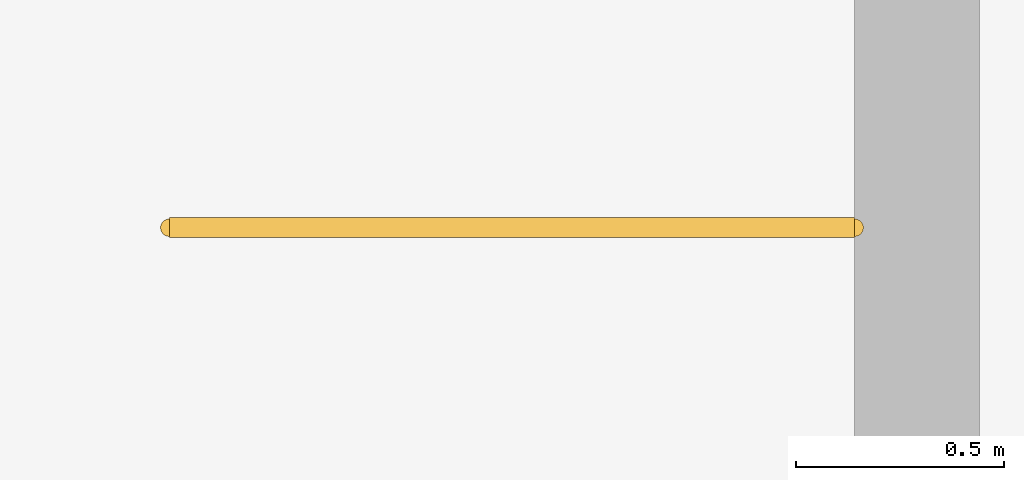
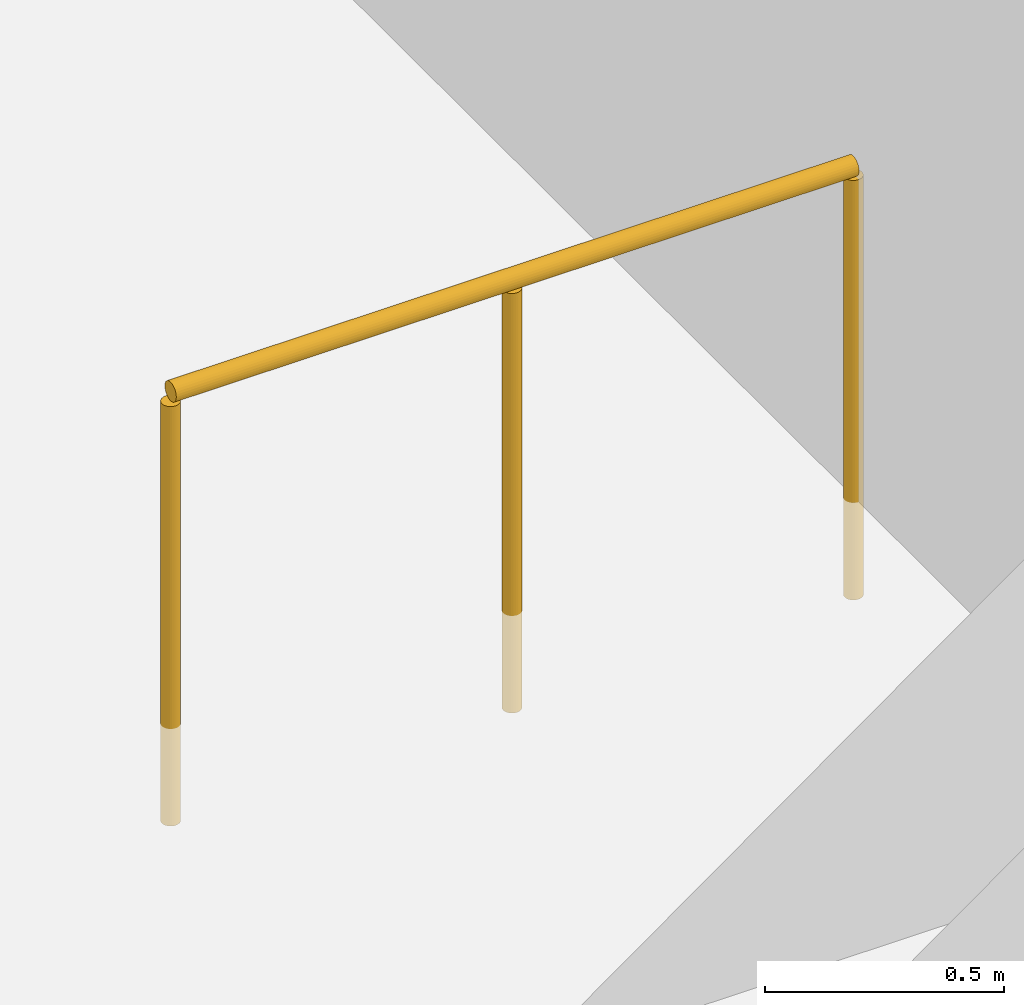
# One storey, part 54 of 54: 1 railing.
"""IFC4 building model written with IfcOpenShell, lengths in metres."""

from ifc_helpers import new_model, si_unit, direction, frame, origin, origin_2d, place, context, subcontext, project, spatial, circle, extrude, material, type_object, element, save


model = new_model("IFC4")

# Units and contexts
model_context = context("Model", 3, precision=1e-05, world=origin(), true_north=direction((0.0, 1.0)))
body_context = subcontext(model_context, "Body", "Model", "MODEL_VIEW")
ifc_project = project(units=[si_unit("LENGTHUNIT", "METRE"), si_unit("AREAUNIT", "SQUARE_METRE"), si_unit("VOLUMEUNIT", "CUBIC_METRE"), si_unit("PLANEANGLEUNIT", "RADIAN"), si_unit("MASSUNIT", "GRAM", prefix="KILO")], contexts=[model_context])

# Site, building, storey
site_placement = place(None, origin())
site = spatial("IfcSite", under=ifc_project, at=site_placement, CompositionType="ELEMENT")
building_placement = place(site_placement, origin())
building = spatial("IfcBuilding", under=site, at=building_placement, Name="Miralva Faculty of Natural Sciences", CompositionType="ELEMENT")
storey_placement = place(building_placement, frame((0.0, 0.0, 19.5)))
storey = spatial("IfcBuildingStorey", under=building, at=storey_placement, Name="L04", CompositionType="ELEMENT", Elevation=19.5)

# Railing
ifc_material = material(Name="Steel S355", Category="steel")
railing_type = type_object("IfcRailingType", Name="RL-GR01", PredefinedType="GUARDRAIL", material=ifc_material)
railing_placement = place(storey_placement, frame((150.35009765625, 48.050048828125, 0.0)))
element("IfcRailing", 1, at=railing_placement, inside=storey, type_object=railing_type, Name="Stair Core C4 top well guard 1", PredefinedType="GUARDRAIL", context=body_context, shape_type="SweptSolid", body=[
    extrude(circle(Radius=0.02392578125, at=origin_2d()), frame((0.0, 0.0, 1.09619140625), z_axis=(-1.0, 0.0, 0.0), x_axis=(0.0, -1.0, 0.0)), (0.0, 0.0, 1.0), 1.650146484375),
    extrude(circle(Radius=0.02099609375, at=origin_2d()), origin(), (0.0, 0.0, 1.0), 1.072021484375),
    extrude(circle(Radius=0.02099609375, at=origin_2d()), frame((-0.8251953125, 0.0, 0.0)), (0.0, 0.0, 1.0), 1.072021484375),
    extrude(circle(Radius=0.02099609375, at=origin_2d()), frame((-1.650146484375, 0.0, 0.0)), (0.0, 0.0, 1.0), 1.072021484375),
])

save(model, "model.ifc")
